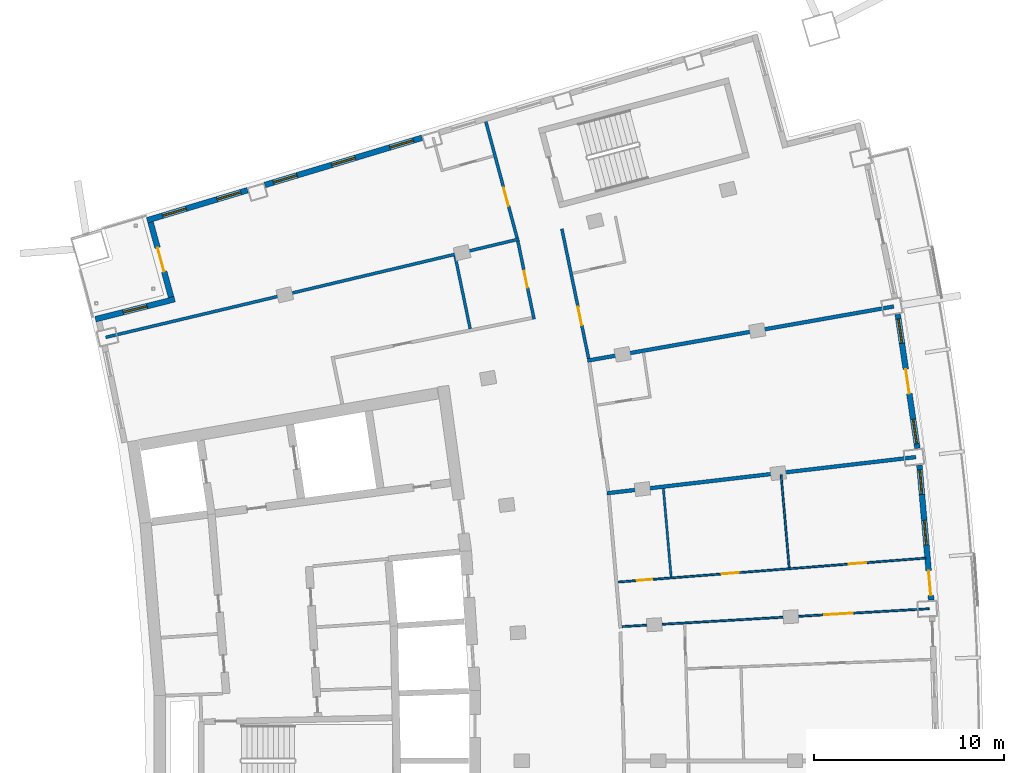
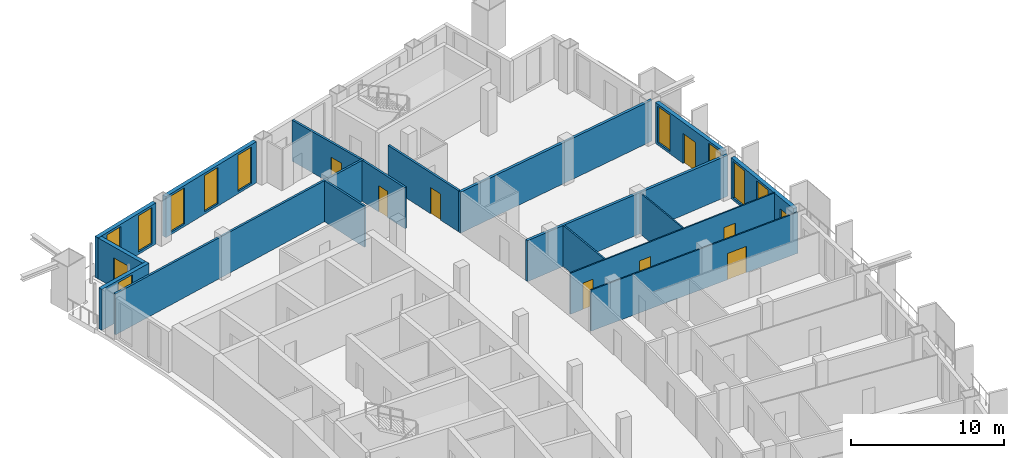
# One storey, part 14 of 19: 17 walls, 10 doors, 10 windows, 20 openings.
"""IFC4 building model written with IfcOpenShell, lengths in metres."""

from ifc_helpers import new_model, si_unit, direction, frame, frame_2d, origin, place, context, subcontext, project, spatial, rectangle, extrude, material, layer, layer_set, type_object, element, fill, save


model = new_model("IFC4")

# Units and contexts
model_context = context("Model", 3, precision=1e-05, world=origin(), true_north=direction((0.0, 1.0)))
body_context = subcontext(model_context, "Body", "Model", "MODEL_VIEW")
ifc_project = project(units=[si_unit("LENGTHUNIT", "METRE"), si_unit("AREAUNIT", "SQUARE_METRE"), si_unit("VOLUMEUNIT", "CUBIC_METRE"), si_unit("PLANEANGLEUNIT", "RADIAN"), si_unit("MASSUNIT", "GRAM", prefix="KILO")], contexts=[model_context])

# Site, building, storey
site_placement = place(None, origin())
site = spatial("IfcSite", under=ifc_project, at=site_placement, CompositionType="ELEMENT")
building_placement = place(site_placement, origin())
building = spatial("IfcBuilding", under=site, at=building_placement, Name="Alderwake Tower", CompositionType="ELEMENT")
storey_placement = place(building_placement, frame((0.0, 0.0, 228.800048828125)))
storey = spatial("IfcBuildingStorey", under=building, at=storey_placement, Name="L57", CompositionType="ELEMENT", Elevation=228.800048828125)

# Wall
ifc_material_1 = material(Name="Gypsum board on metal studs, rated")
ifc_layer_1 = layer(ifc_material_1, 0.159912109375)
ifc_layer_set_1 = layer_set([ifc_layer_1], Name="Corridor wall 160")
wall_type_1 = type_object("IfcWallType", Name="Corridor wall 160", PredefinedType="PARTITIONING", material=ifc_layer_set_1)
wall_1_placement = place(storey_placement, frame((13.884033203125, 83.31298828125, 0.0), z_axis=(0.0, 0.0, 1.0), x_axis=(0.972893462073, 0.231253781493, 0.0)))
element("IfcWall", 1, at=wall_1_placement, inside=storey, type_object=wall_type_1, Name="WL/L57/W11", PredefinedType="PARTITIONING", context=body_context, shape_type="SweptSolid", body=[
    extrude(rectangle(XDim=22.38037109375, YDim=0.159912109375, at=frame_2d((11.190185546875, 0.0))), origin(), (0.0, 0.0, 1.0), 3.280029296875),
])

# Wall, opening, door
wall_2_placement = place(storey_placement, frame((35.55908203125, 88.54736328125, 0.0), z_axis=(0.0, 0.0, 1.0), x_axis=(-0.259486497004, 0.965746735885, 0.0)))
wall_2 = element("IfcWall", 2, at=wall_2_placement, inside=storey, type_object=wall_type_1, Name="WL/L57/W17", PredefinedType="PARTITIONING", context=body_context, shape_type="SweptSolid", body=[
    extrude(rectangle(XDim=6.346923828125, YDim=0.159912109375, at=frame_2d((3.17333984375, 0.0))), origin(), (0.0, 0.0, 1.0), 3.280029296875),
])
opening_1_placement = place(wall_2_placement, frame((1.74609375, 0.0, 0.0)))
opening_1 = element("IfcOpeningElement", 3, at=opening_1_placement, cuts=wall_2, Name="Opening R16-U10.1", PredefinedType="OPENING", context=body_context, shape_type="SweptSolid", body=[
    extrude(rectangle(XDim=1.0, YDim=2.10009765625, at=frame_2d((0.5, 1.050048828125))), frame((0.0, 0.08984375, 0.0), z_axis=(0.0, -1.0, 0.0), x_axis=(1.0, 0.0, 0.0)), (0.0, 0.0, 1.0), 0.179931640625),
])
ifc_material_2 = material(Name="Solid timber leaf in steel frame", Category="steel")
door_type_1 = type_object("IfcDoorType", Name="Flat entrance door 1000 fire-rated", OperationType="SINGLE_SWING_LEFT", PredefinedType="DOOR", material=ifc_material_2)
door_1_placement = place(opening_1_placement, origin())
door_1 = element("IfcDoor", 4, at=door_1_placement, inside=storey, type_object=door_type_1, Name="DR/L57/U10.1", OperationType="SINGLE_SWING_LEFT", OverallHeight=2.10009765625, OverallWidth=1.0, PredefinedType="DOOR", context=body_context, shape_type="SweptSolid", body=[
    extrude(rectangle(XDim=1.0, YDim=2.10009765625, at=frame_2d((0.5, 1.050048828125))), frame((0.0, 0.02490234375, 0.0), z_axis=(0.0, -1.0, 0.0), x_axis=(1.0, 0.0, 0.0)), (0.0, 0.0, 1.0), 0.050048828125),
])
fill(opening_1, door_1)

wall_3_placement = place(storey_placement, frame((36.451416015625, 84.272705078125, 0.0), z_axis=(0.0, 0.0, 1.0), x_axis=(-0.20329833965, 0.979116839348, 0.0)))
wall_3 = element("IfcWall", 5, at=wall_3_placement, inside=storey, type_object=wall_type_1, Name="WL/L57/W19", PredefinedType="PARTITIONING", context=body_context, shape_type="SweptSolid", body=[
    extrude(rectangle(XDim=4.206787109375, YDim=0.159912109375, at=frame_2d((2.103515625, 0.0))), origin(), (0.0, 0.0, 1.0), 3.280029296875),
])
opening_2_placement = place(wall_3_placement, frame((1.69287109375, 0.0, 0.0)))
opening_2 = element("IfcOpeningElement", 6, at=opening_2_placement, cuts=wall_3, Name="Opening R16-SBN2", PredefinedType="OPENING", context=body_context, shape_type="SweptSolid", body=[
    extrude(rectangle(XDim=0.89990234375, YDim=2.10009765625, at=frame_2d((0.449951171875, 1.050048828125))), frame((0.0, 0.08984375, 0.0), z_axis=(0.0, -1.0, 0.0), x_axis=(1.0, 0.0, 0.0)), (0.0, 0.0, 1.0), 0.179931640625),
])
ifc_material_3 = material(Name="Painted timber leaf", Category="wood")
door_type_2 = type_object("IfcDoorType", Name="Room door 900", OperationType="SINGLE_SWING_LEFT", PredefinedType="DOOR", material=ifc_material_3)
door_2_placement = place(opening_2_placement, origin())
door_2 = element("IfcDoor", 7, at=door_2_placement, inside=storey, type_object=door_type_2, Name="DR/L57/SBN2", OperationType="SINGLE_SWING_LEFT", OverallHeight=2.10009765625, OverallWidth=0.89990234375, PredefinedType="DOOR", context=body_context, shape_type="SweptSolid", body=[
    extrude(rectangle(XDim=0.89990234375, YDim=2.10009765625, at=frame_2d((0.449951171875, 1.050048828125))), frame((0.0, 0.02490234375, 0.0), z_axis=(0.0, -1.0, 0.0), x_axis=(1.0, 0.0, 0.0)), (0.0, 0.0, 1.0), 0.050048828125),
])
fill(opening_2, door_2)

wall_4_placement = place(storey_placement, frame((37.9169921875, 89.02490234375, 0.0), z_axis=(0.0, 0.0, 1.0), x_axis=(0.202416809878, -0.97929946139, 0.0)))
wall_4 = element("IfcWall", 8, at=wall_4_placement, inside=storey, type_object=wall_type_1, Name="WL/L57/W24", PredefinedType="PARTITIONING", context=body_context, shape_type="SweptSolid", body=[
    extrude(rectangle(XDim=6.97021484375, YDim=0.159912109375, at=frame_2d((3.485107421875, 0.0))), origin(), (0.0, 0.0, 1.0), 3.280029296875),
])
opening_3_placement = place(wall_4_placement, frame((4.187255859375, 0.0, 0.0)))
opening_3 = element("IfcOpeningElement", 9, at=opening_3_placement, cuts=wall_4, Name="Opening R16-U08.1", PredefinedType="OPENING", context=body_context, shape_type="SweptSolid", body=[
    extrude(rectangle(XDim=1.0, YDim=2.10009765625, at=frame_2d((0.5, 1.050048828125))), frame((0.0, 0.08984375, 0.0), z_axis=(0.0, -1.0, 0.0), x_axis=(1.0, 0.0, 0.0)), (0.0, 0.0, 1.0), 0.179931640625),
])
door_3_placement = place(opening_3_placement, origin())
door_3 = element("IfcDoor", 10, at=door_3_placement, inside=storey, type_object=door_type_1, Name="DR/L57/U08.1", OperationType="SINGLE_SWING_LEFT", OverallHeight=2.10009765625, OverallWidth=1.0, PredefinedType="DOOR", context=body_context, shape_type="SweptSolid", body=[
    extrude(rectangle(XDim=1.0, YDim=2.10009765625, at=frame_2d((0.5, 1.050048828125))), frame((0.0, 0.02490234375, 0.0), z_axis=(0.0, -1.0, 0.0), x_axis=(1.0, 0.0, 0.0)), (0.0, 0.0, 1.0), 0.050048828125),
])
fill(opening_3, door_3)

# Wall, openings, door, windows
ifc_material_4 = material(Name="Precast concrete C50/60 spandrel panel", Category="concrete")
ifc_layer_2 = layer(ifc_material_4, 0.300048828125)
ifc_layer_set_2 = layer_set([ifc_layer_2], Name="External wall EW1 Precast concrete C50/60 spandrel")
wall_type_2 = type_object("IfcWallType", Name="External wall EW1 Precast concrete C50/60 spandrel", PredefinedType="SOLIDWALL", material=ifc_layer_set_2)
wall_5_placement = place(storey_placement, frame((57.376708984375, 69.470703125, 0.0), z_axis=(0.0, 0.0, 1.0), x_axis=(-0.087372427007, 0.996175716929, 0.0)))
wall_5 = element("IfcWall", 11, at=wall_5_placement, inside=storey, type_object=wall_type_2, Name="External wall 17", PredefinedType="SOLIDWALL", context=body_context, shape_type="SweptSolid", body=[
    extrude(rectangle(XDim=7.1337890625, YDim=0.300048828125, at=frame_2d((3.56689453125, 0.0))), origin(), (0.0, 0.0, 1.0), 3.280029296875),
])
opening_4_placement = place(wall_5_placement, frame((0.24560546875, 0.0, 0.0)))
opening_4 = element("IfcOpeningElement", 12, at=opening_4_placement, cuts=wall_5, Name="Opening D06", PredefinedType="OPENING", context=body_context, shape_type="SweptSolid", body=[
    extrude(rectangle(XDim=1.300048828125, YDim=2.39990234375, at=frame_2d((0.64990234375, 1.199951171875))), frame((0.0, 0.159912109375, 0.0), z_axis=(0.0, -1.0, 0.0), x_axis=(1.0, 0.0, 0.0)), (0.0, 0.0, 1.0), 0.320068359375),
])
opening_5_placement = place(wall_5_placement, frame((2.916748046875, 0.0, 0.199951171875)))
opening_5 = element("IfcOpeningElement", 13, at=opening_5_placement, cuts=wall_5, Name="Opening W1", PredefinedType="OPENING", context=body_context, shape_type="SweptSolid", body=[
    extrude(rectangle(XDim=1.300048828125, YDim=2.89990234375, at=frame_2d((0.64990234375, 1.449951171875))), frame((0.0, 0.159912109375, 0.0), z_axis=(0.0, -1.0, 0.0), x_axis=(1.0, 0.0, 0.0)), (0.0, 0.0, 1.0), 0.320068359375),
])
opening_6_placement = place(wall_5_placement, frame((5.588134765625, 0.0, 0.199951171875)))
opening_6 = element("IfcOpeningElement", 14, at=opening_6_placement, cuts=wall_5, Name="Opening W1", PredefinedType="OPENING", context=body_context, shape_type="SweptSolid", body=[
    extrude(rectangle(XDim=1.300048828125, YDim=2.89990234375, at=frame_2d((0.64990234375, 1.449951171875))), frame((0.0, 0.159912109375, 0.0), z_axis=(0.0, -1.0, 0.0), x_axis=(1.0, 0.0, 0.0)), (0.0, 0.0, 1.0), 0.320068359375),
])
ifc_material_5 = material(Name="Bronze tinted glass in aluminium frame", Category="aluminium")
door_type_3 = type_object("IfcDoorType", Name="Balcony door BD sliding", OperationType="SLIDING_TO_LEFT", PredefinedType="DOOR", material=ifc_material_5)
door_4_placement = place(opening_4_placement, origin())
door_4 = element("IfcDoor", 15, at=door_4_placement, inside=storey, type_object=door_type_3, Name="Door D06", OperationType="SLIDING_TO_LEFT", OverallHeight=2.39990234375, OverallWidth=1.300048828125, PredefinedType="DOOR", context=body_context, shape_type="SweptSolid", body=[
    extrude(rectangle(XDim=1.300048828125, YDim=2.39990234375, at=frame_2d((0.64990234375, 1.199951171875))), frame((0.0, 0.02490234375, 0.0), z_axis=(0.0, -1.0, 0.0), x_axis=(1.0, 0.0, 0.0)), (0.0, 0.0, 1.0), 0.050048828125),
])
fill(opening_4, door_4)
ifc_material_6 = material(Name="Bronze tinted glass in aluminium frame", Category="aluminium")
window_type = type_object("IfcWindowType", Name="Window W1 tall fixed and vent", PartitioningType="DOUBLE_PANEL_VERTICAL", PredefinedType="WINDOW", material=ifc_material_6)
window_1_placement = place(opening_5_placement, origin())
window_1 = element("IfcWindow", 16, at=window_1_placement, inside=storey, type_object=window_type, Name="Window W1 tall fixed and vent", OverallHeight=2.89990234375, OverallWidth=1.300048828125, PartitioningType="DOUBLE_PANEL_VERTICAL", PredefinedType="WINDOW", context=body_context, shape_type="SweptSolid", body=[
    extrude(rectangle(XDim=1.300048828125, YDim=2.89990234375, at=frame_2d((0.64990234375, 1.449951171875))), frame((0.0, 0.030029296875, 0.0), z_axis=(0.0, -1.0, 0.0), x_axis=(1.0, 0.0, 0.0)), (0.0, 0.0, 1.0), 0.06005859375),
])
fill(opening_5, window_1)
window_2_placement = place(opening_6_placement, origin())
window_2 = element("IfcWindow", 17, at=window_2_placement, inside=storey, type_object=window_type, Name="Window W1 tall fixed and vent", OverallHeight=2.89990234375, OverallWidth=1.300048828125, PartitioningType="DOUBLE_PANEL_VERTICAL", PredefinedType="WINDOW", context=body_context, shape_type="SweptSolid", body=[
    extrude(rectangle(XDim=1.300048828125, YDim=2.89990234375, at=frame_2d((0.64990234375, 1.449951171875))), frame((0.0, 0.030029296875, 0.0), z_axis=(0.0, -1.0, 0.0), x_axis=(1.0, 0.0, 0.0)), (0.0, 0.0, 1.0), 0.06005859375),
])
fill(opening_6, window_2)

wall_6_placement = place(storey_placement, frame((56.649169921875, 77.465576171875, 0.0), z_axis=(0.0, 0.0, 1.0), x_axis=(-0.14531565173, 0.989385345233, 0.0)))
wall_6 = element("IfcWall", 18, at=wall_6_placement, inside=storey, type_object=wall_type_2, Name="External wall 18", PredefinedType="SOLIDWALL", context=body_context, shape_type="SweptSolid", body=[
    extrude(rectangle(XDim=7.133544921875, YDim=0.300048828125, at=frame_2d((3.56689453125, 0.0))), origin(), (0.0, 0.0, 1.0), 3.280029296875),
])
opening_7_placement = place(wall_6_placement, frame((0.24560546875, 0.0, 0.199951171875)))
opening_7 = element("IfcOpeningElement", 19, at=opening_7_placement, cuts=wall_6, Name="Opening W1", PredefinedType="OPENING", context=body_context, shape_type="SweptSolid", body=[
    extrude(rectangle(XDim=1.300048828125, YDim=2.89990234375, at=frame_2d((0.64990234375, 1.449951171875))), frame((0.0, 0.159912109375, 0.0), z_axis=(0.0, -1.0, 0.0), x_axis=(1.0, 0.0, 0.0)), (0.0, 0.0, 1.0), 0.320068359375),
])
opening_8_placement = place(wall_6_placement, frame((2.916748046875, 0.0, 0.0)))
opening_8 = element("IfcOpeningElement", 20, at=opening_8_placement, cuts=wall_6, Name="Opening D07", PredefinedType="OPENING", context=body_context, shape_type="SweptSolid", body=[
    extrude(rectangle(XDim=1.300048828125, YDim=2.39990234375, at=frame_2d((0.64990234375, 1.199951171875))), frame((0.0, 0.159912109375, 0.0), z_axis=(0.0, -1.0, 0.0), x_axis=(1.0, 0.0, 0.0)), (0.0, 0.0, 1.0), 0.320068359375),
])
opening_9_placement = place(wall_6_placement, frame((5.588134765625, 0.0, 0.199951171875)))
opening_9 = element("IfcOpeningElement", 21, at=opening_9_placement, cuts=wall_6, Name="Opening W1", PredefinedType="OPENING", context=body_context, shape_type="SweptSolid", body=[
    extrude(rectangle(XDim=1.300048828125, YDim=2.89990234375, at=frame_2d((0.64990234375, 1.449951171875))), frame((0.0, 0.159912109375, 0.0), z_axis=(0.0, -1.0, 0.0), x_axis=(1.0, 0.0, 0.0)), (0.0, 0.0, 1.0), 0.320068359375),
])
door_5_placement = place(opening_8_placement, origin())
door_5 = element("IfcDoor", 22, at=door_5_placement, inside=storey, type_object=door_type_3, Name="Door D07", OperationType="SLIDING_TO_LEFT", OverallHeight=2.39990234375, OverallWidth=1.300048828125, PredefinedType="DOOR", context=body_context, shape_type="SweptSolid", body=[
    extrude(rectangle(XDim=1.300048828125, YDim=2.39990234375, at=frame_2d((0.64990234375, 1.199951171875))), frame((0.0, 0.02490234375, 0.0), z_axis=(0.0, -1.0, 0.0), x_axis=(1.0, 0.0, 0.0)), (0.0, 0.0, 1.0), 0.050048828125),
])
fill(opening_8, door_5)
window_3_placement = place(opening_7_placement, origin())
window_3 = element("IfcWindow", 23, at=window_3_placement, inside=storey, type_object=window_type, Name="Window W1 tall fixed and vent", OverallHeight=2.89990234375, OverallWidth=1.300048828125, PartitioningType="DOUBLE_PANEL_VERTICAL", PredefinedType="WINDOW", context=body_context, shape_type="SweptSolid", body=[
    extrude(rectangle(XDim=1.300048828125, YDim=2.89990234375, at=frame_2d((0.64990234375, 1.449951171875))), frame((0.0, 0.030029296875, 0.0), z_axis=(0.0, -1.0, 0.0), x_axis=(1.0, 0.0, 0.0)), (0.0, 0.0, 1.0), 0.06005859375),
])
fill(opening_7, window_3)
window_4_placement = place(opening_9_placement, origin())
window_4 = element("IfcWindow", 24, at=window_4_placement, inside=storey, type_object=window_type, Name="Window W1 tall fixed and vent", OverallHeight=2.89990234375, OverallWidth=1.300048828125, PartitioningType="DOUBLE_PANEL_VERTICAL", PredefinedType="WINDOW", context=body_context, shape_type="SweptSolid", body=[
    extrude(rectangle(XDim=1.300048828125, YDim=2.89990234375, at=frame_2d((0.64990234375, 1.449951171875))), frame((0.0, 0.030029296875, 0.0), z_axis=(0.0, -1.0, 0.0), x_axis=(1.0, 0.0, 0.0)), (0.0, 0.0, 1.0), 0.06005859375),
])
fill(opening_9, window_4)

# Wall, openings, windows
ifc_material_7 = material(Name="Bronze metal cladding on lightweight framing")
ifc_layer_3 = layer(ifc_material_7, 0.300048828125)
ifc_layer_set_3 = layer_set([ifc_layer_3], Name="External wall EW2 bronze metal cladding")
wall_type_3 = type_object("IfcWallType", Name="External wall EW2 bronze metal cladding", PredefinedType="SOLIDWALL", material=ifc_layer_set_3)
wall_7_placement = place(storey_placement, frame((30.551513671875, 93.8251953125, 0.0), z_axis=(0.0, 0.0, 1.0), x_axis=(-0.957767198916, -0.287544766394, 0.0)))
wall_7 = element("IfcWall", 25, at=wall_7_placement, inside=storey, type_object=wall_type_3, Name="External wall 26", PredefinedType="SOLIDWALL", context=body_context, shape_type="SweptSolid", body=[
    extrude(rectangle(XDim=8.64599609375, YDim=0.300048828125, at=frame_2d((4.322998046875, 0.0))), origin(), (0.0, 0.0, 1.0), 3.280029296875),
])
opening_10_placement = place(wall_7_placement, frame((0.47314453125, 0.0, 0.199951171875)))
opening_10 = element("IfcOpeningElement", 26, at=opening_10_placement, cuts=wall_7, Name="Opening W1", PredefinedType="OPENING", context=body_context, shape_type="SweptSolid", body=[
    extrude(rectangle(XDim=1.300048828125, YDim=2.89990234375, at=frame_2d((0.64990234375, 1.449951171875))), frame((0.0, 0.159912109375, 0.0), z_axis=(0.0, -1.0, 0.0), x_axis=(1.0, 0.0, 0.0)), (0.0, 0.0, 1.0), 0.320068359375),
])
opening_11_placement = place(wall_7_placement, frame((3.673095703125, 0.0, 0.199951171875)))
opening_11 = element("IfcOpeningElement", 27, at=opening_11_placement, cuts=wall_7, Name="Opening W1", PredefinedType="OPENING", context=body_context, shape_type="SweptSolid", body=[
    extrude(rectangle(XDim=1.300048828125, YDim=2.89990234375, at=frame_2d((0.64990234375, 1.449951171875))), frame((0.0, 0.159912109375, 0.0), z_axis=(0.0, -1.0, 0.0), x_axis=(1.0, 0.0, 0.0)), (0.0, 0.0, 1.0), 0.320068359375),
])
opening_12_placement = place(wall_7_placement, frame((6.873291015625, 0.0, 0.199951171875)))
opening_12 = element("IfcOpeningElement", 28, at=opening_12_placement, cuts=wall_7, Name="Opening W1", PredefinedType="OPENING", context=body_context, shape_type="SweptSolid", body=[
    extrude(rectangle(XDim=1.300048828125, YDim=2.89990234375, at=frame_2d((0.64990234375, 1.449951171875))), frame((0.0, 0.159912109375, 0.0), z_axis=(0.0, -1.0, 0.0), x_axis=(1.0, 0.0, 0.0)), (0.0, 0.0, 1.0), 0.320068359375),
])
window_5_placement = place(opening_10_placement, origin())
window_5 = element("IfcWindow", 29, at=window_5_placement, inside=storey, type_object=window_type, Name="Window W1 tall fixed and vent", OverallHeight=2.89990234375, OverallWidth=1.300048828125, PartitioningType="DOUBLE_PANEL_VERTICAL", PredefinedType="WINDOW", context=body_context, shape_type="SweptSolid", body=[
    extrude(rectangle(XDim=1.300048828125, YDim=2.89990234375, at=frame_2d((0.64990234375, 1.449951171875))), frame((0.0, 0.030029296875, 0.0), z_axis=(0.0, -1.0, 0.0), x_axis=(1.0, 0.0, 0.0)), (0.0, 0.0, 1.0), 0.06005859375),
])
fill(opening_10, window_5)
window_6_placement = place(opening_11_placement, origin())
window_6 = element("IfcWindow", 30, at=window_6_placement, inside=storey, type_object=window_type, Name="Window W1 tall fixed and vent", OverallHeight=2.89990234375, OverallWidth=1.300048828125, PartitioningType="DOUBLE_PANEL_VERTICAL", PredefinedType="WINDOW", context=body_context, shape_type="SweptSolid", body=[
    extrude(rectangle(XDim=1.300048828125, YDim=2.89990234375, at=frame_2d((0.64990234375, 1.449951171875))), frame((0.0, 0.030029296875, 0.0), z_axis=(0.0, -1.0, 0.0), x_axis=(1.0, 0.0, 0.0)), (0.0, 0.0, 1.0), 0.06005859375),
])
fill(opening_11, window_6)
window_7_placement = place(opening_12_placement, origin())
window_7 = element("IfcWindow", 31, at=window_7_placement, inside=storey, type_object=window_type, Name="Window W1 tall fixed and vent", OverallHeight=2.89990234375, OverallWidth=1.300048828125, PartitioningType="DOUBLE_PANEL_VERTICAL", PredefinedType="WINDOW", context=body_context, shape_type="SweptSolid", body=[
    extrude(rectangle(XDim=1.300048828125, YDim=2.89990234375, at=frame_2d((0.64990234375, 1.449951171875))), frame((0.0, 0.030029296875, 0.0), z_axis=(0.0, -1.0, 0.0), x_axis=(1.0, 0.0, 0.0)), (0.0, 0.0, 1.0), 0.06005859375),
])
fill(opening_12, window_7)

wall_8_placement = place(storey_placement, frame((21.356689453125, 91.064697265625, 0.0), z_axis=(0.0, 0.0, 1.0), x_axis=(-0.957772749247, -0.287526278451, 0.0)))
wall_8 = element("IfcWall", 32, at=wall_8_placement, inside=storey, type_object=wall_type_3, Name="External wall 27", PredefinedType="SOLIDWALL", context=body_context, shape_type="SweptSolid", body=[
    extrude(rectangle(XDim=5.524169921875, YDim=0.300048828125, at=frame_2d((2.76220703125, 0.0))), origin(), (0.0, 0.0, 1.0), 3.280029296875),
])
opening_13_placement = place(wall_8_placement, frame((0.373291015625, 0.0, 0.199951171875)))
opening_13 = element("IfcOpeningElement", 33, at=opening_13_placement, cuts=wall_8, Name="Opening W1", PredefinedType="OPENING", context=body_context, shape_type="SweptSolid", body=[
    extrude(rectangle(XDim=1.300048828125, YDim=2.89990234375, at=frame_2d((0.64990234375, 1.449951171875))), frame((0.0, 0.159912109375, 0.0), z_axis=(0.0, -1.0, 0.0), x_axis=(1.0, 0.0, 0.0)), (0.0, 0.0, 1.0), 0.320068359375),
])
opening_14_placement = place(wall_8_placement, frame((3.3740234375, 0.0, 0.199951171875)))
opening_14 = element("IfcOpeningElement", 34, at=opening_14_placement, cuts=wall_8, Name="Opening W1", PredefinedType="OPENING", context=body_context, shape_type="SweptSolid", body=[
    extrude(rectangle(XDim=1.300048828125, YDim=2.89990234375, at=frame_2d((0.64990234375, 1.449951171875))), frame((0.0, 0.159912109375, 0.0), z_axis=(0.0, -1.0, 0.0), x_axis=(1.0, 0.0, 0.0)), (0.0, 0.0, 1.0), 0.320068359375),
])
window_8_placement = place(opening_13_placement, origin())
window_8 = element("IfcWindow", 35, at=window_8_placement, inside=storey, type_object=window_type, Name="Window W1 tall fixed and vent", OverallHeight=2.89990234375, OverallWidth=1.300048828125, PartitioningType="DOUBLE_PANEL_VERTICAL", PredefinedType="WINDOW", context=body_context, shape_type="SweptSolid", body=[
    extrude(rectangle(XDim=1.300048828125, YDim=2.89990234375, at=frame_2d((0.64990234375, 1.449951171875))), frame((0.0, 0.030029296875, 0.0), z_axis=(0.0, -1.0, 0.0), x_axis=(1.0, 0.0, 0.0)), (0.0, 0.0, 1.0), 0.06005859375),
])
fill(opening_13, window_8)
window_9_placement = place(opening_14_placement, origin())
window_9 = element("IfcWindow", 36, at=window_9_placement, inside=storey, type_object=window_type, Name="Window W1 tall fixed and vent", OverallHeight=2.89990234375, OverallWidth=1.300048828125, PartitioningType="DOUBLE_PANEL_VERTICAL", PredefinedType="WINDOW", context=body_context, shape_type="SweptSolid", body=[
    extrude(rectangle(XDim=1.300048828125, YDim=2.89990234375, at=frame_2d((0.64990234375, 1.449951171875))), frame((0.0, 0.030029296875, 0.0), z_axis=(0.0, -1.0, 0.0), x_axis=(1.0, 0.0, 0.0)), (0.0, 0.0, 1.0), 0.06005859375),
])
fill(opening_14, window_9)

# Wall, opening, door
wall_9_placement = place(storey_placement, frame((16.248779296875, 89.374755859375, 0.0), z_axis=(0.0, 0.0, 1.0), x_axis=(0.264607053468, -0.964356317579, 0.0)))
wall_9 = element("IfcWall", 37, at=wall_9_placement, inside=storey, type_object=wall_type_3, Name="External wall 28", PredefinedType="SOLIDWALL", context=body_context, shape_type="SweptSolid", body=[
    extrude(rectangle(XDim=4.090087890625, YDim=0.300048828125, at=frame_2d((2.044921875, 0.0))), origin(), (0.0, 0.0, 1.0), 3.280029296875),
])
opening_15_placement = place(wall_9_placement, frame((1.39501953125, 0.0, 0.0)))
opening_15 = element("IfcOpeningElement", 38, at=opening_15_placement, cuts=wall_9, Name="Opening D09", PredefinedType="OPENING", context=body_context, shape_type="SweptSolid", body=[
    extrude(rectangle(XDim=1.300048828125, YDim=2.39990234375, at=frame_2d((0.64990234375, 1.199951171875))), frame((0.0, 0.159912109375, 0.0), z_axis=(0.0, -1.0, 0.0), x_axis=(1.0, 0.0, 0.0)), (0.0, 0.0, 1.0), 0.320068359375),
])
door_6_placement = place(opening_15_placement, origin())
door_6 = element("IfcDoor", 39, at=door_6_placement, inside=storey, type_object=door_type_3, Name="Door D09", OperationType="SLIDING_TO_LEFT", OverallHeight=2.39990234375, OverallWidth=1.300048828125, PredefinedType="DOOR", context=body_context, shape_type="SweptSolid", body=[
    extrude(rectangle(XDim=1.300048828125, YDim=2.39990234375, at=frame_2d((0.64990234375, 1.199951171875))), frame((0.0, 0.02490234375, 0.0), z_axis=(0.0, -1.0, 0.0), x_axis=(1.0, 0.0, 0.0)), (0.0, 0.0, 1.0), 0.050048828125),
])
fill(opening_15, door_6)

# Wall, opening, window
wall_10_placement = place(storey_placement, frame((17.51611328125, 85.32275390625, 0.0), z_axis=(0.0, 0.0, 1.0), x_axis=(-0.969417740682, -0.245416470617, 0.0)))
wall_10 = element("IfcWall", 40, at=wall_10_placement, inside=storey, type_object=wall_type_3, Name="External wall 29", PredefinedType="SOLIDWALL", context=body_context, shape_type="SweptSolid", body=[
    extrude(rectangle(XDim=4.305419921875, YDim=0.300048828125, at=frame_2d((2.15283203125, 0.0))), origin(), (0.0, 0.0, 1.0), 3.280029296875),
])
opening_16_placement = place(wall_10_placement, frame((1.502685546875, 0.0, 0.199951171875)))
opening_16 = element("IfcOpeningElement", 41, at=opening_16_placement, cuts=wall_10, Name="Opening W1", PredefinedType="OPENING", context=body_context, shape_type="SweptSolid", body=[
    extrude(rectangle(XDim=1.300048828125, YDim=2.89990234375, at=frame_2d((0.64990234375, 1.449951171875))), frame((0.0, 0.159912109375, 0.0), z_axis=(0.0, -1.0, 0.0), x_axis=(1.0, 0.0, 0.0)), (0.0, 0.0, 1.0), 0.320068359375),
])
window_10_placement = place(opening_16_placement, origin())
window_10 = element("IfcWindow", 42, at=window_10_placement, inside=storey, type_object=window_type, Name="Window W1 tall fixed and vent", OverallHeight=2.89990234375, OverallWidth=1.300048828125, PartitioningType="DOUBLE_PANEL_VERTICAL", PredefinedType="WINDOW", context=body_context, shape_type="SweptSolid", body=[
    extrude(rectangle(XDim=1.300048828125, YDim=2.89990234375, at=frame_2d((0.64990234375, 1.449951171875))), frame((0.0, 0.030029296875, 0.0), z_axis=(0.0, -1.0, 0.0), x_axis=(1.0, 0.0, 0.0)), (0.0, 0.0, 1.0), 0.06005859375),
])
fill(opening_16, window_10)

# Walls
ifc_material_8 = material(Name="Dense block masonry wall", Category="masonry")
ifc_layer_4 = layer(ifc_material_8, 0.199951171875)
ifc_layer_set_4 = layer_set([ifc_layer_4], Name="Party wall 200")
wall_type_4 = type_object("IfcWallType", Name="Party wall 200", PredefinedType="SOLIDWALL", material=ifc_layer_set_4)
wall_11_placement = place(storey_placement, frame((40.297607421875, 75.0986328125, 0.0), z_axis=(0.0, 0.0, 1.0), x_axis=(0.993210909996, 0.116327504339, 0.0)))
element("IfcWall", 43, at=wall_11_placement, inside=storey, type_object=wall_type_4, Name="WL/L57/W01", PredefinedType="SOLIDWALL", context=body_context, shape_type="SweptSolid", body=[
    extrude(rectangle(XDim=16.37841796875, YDim=0.199951171875, at=frame_2d((8.189208984375, 0.0))), origin(), (0.0, 0.0, 1.0), 3.280029296875),
])
wall_12_placement = place(storey_placement, frame((55.40087890625, 84.93896484375, 0.0), z_axis=(0.0, 0.0, 1.0), x_axis=(-0.984730701912, -0.174084590678, 0.0)))
element("IfcWall", 44, at=wall_12_placement, inside=storey, type_object=wall_type_4, Name="WL/L57/W02", PredefinedType="SOLIDWALL", context=body_context, shape_type="SweptSolid", body=[
    extrude(rectangle(XDim=16.3818359375, YDim=0.199951171875, at=frame_2d((8.19091796875, 0.0))), origin(), (0.0, 0.0, 1.0), 3.280029296875),
])
ifc_material_9 = material(Name="Gypsum shaft wall system, rated")
ifc_layer_5 = layer(ifc_material_9, 0.14990234375)
ifc_layer_set_5 = layer_set([ifc_layer_5], Name="Riser and shaft wall 150")
wall_type_5 = type_object("IfcWallType", Name="Riser and shaft wall 150", PredefinedType="PARTITIONING", material=ifc_layer_set_5)
wall_13_placement = place(storey_placement, frame((33.085693359375, 83.76025390625, 0.0), z_axis=(0.0, 0.0, 1.0), x_axis=(-0.2025562632, 0.97927062666, 0.0)))
element("IfcWall", 45, at=wall_13_placement, inside=storey, type_object=wall_type_5, Name="WL/L57/W07", PredefinedType="PARTITIONING", context=body_context, shape_type="SweptSolid", body=[
    extrude(rectangle(XDim=3.9267578125, YDim=0.14990234375, at=frame_2d((1.96337890625, 0.0))), origin(), (0.0, 0.0, 1.0), 3.280029296875),
])

# Wall, openings, doors
ifc_material_10 = material(Name="Gypsum board on metal studs")
ifc_layer_6 = layer(ifc_material_10, 0.10009765625)
ifc_layer_set_6 = layer_set([ifc_layer_6], Name="Unit partition 100")
wall_type_6 = type_object("IfcWallType", Name="Unit partition 100", PredefinedType="PARTITIONING", material=ifc_layer_set_6)
wall_14_placement = place(storey_placement, frame((40.867919921875, 70.419189453125, 0.0), z_axis=(0.0, 0.0, 1.0), x_axis=(0.996981000907, 0.077645887405, 0.0)))
wall_14 = element("IfcWall", 46, at=wall_14_placement, inside=storey, type_object=wall_type_6, Name="WL/L57/W48", PredefinedType="PARTITIONING", context=body_context, shape_type="SweptSolid", body=[
    extrude(rectangle(XDim=16.26220703125, YDim=0.10009765625, at=frame_2d((8.131103515625, 0.0))), origin(), (0.0, 0.0, 1.0), 3.280029296875),
])
opening_17_placement = place(wall_14_placement, frame((5.4892578125, 0.0, 0.0)))
opening_17 = element("IfcOpeningElement", 47, at=opening_17_placement, cuts=wall_14, Name="Opening R16-U06.5", PredefinedType="OPENING", context=body_context, shape_type="SweptSolid", body=[
    extrude(rectangle(XDim=0.89990234375, YDim=2.10009765625, at=frame_2d((0.449951171875, 1.050048828125))), frame((0.0, 0.06005859375, 0.0), z_axis=(0.0, -1.0, 0.0), x_axis=(1.0, 0.0, 0.0)), (0.0, 0.0, 1.0), 0.1201171875),
])
opening_18_placement = place(wall_14_placement, frame((1.009521484375, 0.0, 0.0)))
opening_18 = element("IfcOpeningElement", 48, at=opening_18_placement, cuts=wall_14, Name="Opening R16-U06.6", PredefinedType="OPENING", context=body_context, shape_type="SweptSolid", body=[
    extrude(rectangle(XDim=0.800048828125, YDim=2.10009765625, at=frame_2d((0.39990234375, 1.050048828125))), frame((0.0, 0.06005859375, 0.0), z_axis=(0.0, -1.0, 0.0), x_axis=(1.0, 0.0, 0.0)), (0.0, 0.0, 1.0), 0.1201171875),
])
opening_19_placement = place(wall_14_placement, frame((12.211181640625, 0.0, 0.0)))
opening_19 = element("IfcOpeningElement", 49, at=opening_19_placement, cuts=wall_14, Name="Opening R16-U06.7", PredefinedType="OPENING", context=body_context, shape_type="SweptSolid", body=[
    extrude(rectangle(XDim=0.89990234375, YDim=2.10009765625, at=frame_2d((0.449951171875, 1.050048828125))), frame((0.0, 0.06005859375, 0.0), z_axis=(0.0, -1.0, 0.0), x_axis=(1.0, 0.0, 0.0)), (0.0, 0.0, 1.0), 0.1201171875),
])
ifc_material_11 = material(Name="Painted timber leaf", Category="wood")
door_type_4 = type_object("IfcDoorType", Name="Bathroom door 800", OperationType="SINGLE_SWING_LEFT", PredefinedType="DOOR", material=ifc_material_11)
door_7_placement = place(opening_18_placement, origin())
door_7 = element("IfcDoor", 50, at=door_7_placement, inside=storey, type_object=door_type_4, Name="DR/L57/U06.6", OperationType="SINGLE_SWING_LEFT", OverallHeight=2.10009765625, OverallWidth=0.800048828125, PredefinedType="DOOR", context=body_context, shape_type="SweptSolid", body=[
    extrude(rectangle(XDim=0.800048828125, YDim=2.10009765625, at=frame_2d((0.39990234375, 1.050048828125))), frame((0.0, 0.02490234375, 0.0), z_axis=(0.0, -1.0, 0.0), x_axis=(1.0, 0.0, 0.0)), (0.0, 0.0, 1.0), 0.050048828125),
])
fill(opening_18, door_7)
door_8_placement = place(opening_17_placement, origin())
door_8 = element("IfcDoor", 51, at=door_8_placement, inside=storey, type_object=door_type_2, Name="DR/L57/U06.5", OperationType="SINGLE_SWING_LEFT", OverallHeight=2.10009765625, OverallWidth=0.89990234375, PredefinedType="DOOR", context=body_context, shape_type="SweptSolid", body=[
    extrude(rectangle(XDim=0.89990234375, YDim=2.10009765625, at=frame_2d((0.449951171875, 1.050048828125))), frame((0.0, 0.02490234375, 0.0), z_axis=(0.0, -1.0, 0.0), x_axis=(1.0, 0.0, 0.0)), (0.0, 0.0, 1.0), 0.050048828125),
])
fill(opening_17, door_8)
door_9_placement = place(opening_19_placement, origin())
door_9 = element("IfcDoor", 52, at=door_9_placement, inside=storey, type_object=door_type_2, Name="DR/L57/U06.7", OperationType="SINGLE_SWING_LEFT", OverallHeight=2.10009765625, OverallWidth=0.89990234375, PredefinedType="DOOR", context=body_context, shape_type="SweptSolid", body=[
    extrude(rectangle(XDim=0.89990234375, YDim=2.10009765625, at=frame_2d((0.449951171875, 1.050048828125))), frame((0.0, 0.02490234375, 0.0), z_axis=(0.0, -1.0, 0.0), x_axis=(1.0, 0.0, 0.0)), (0.0, 0.0, 1.0), 0.050048828125),
])
fill(opening_19, door_9)

# Wall, opening, door
wall_15_placement = place(storey_placement, frame((41.074951171875, 68.07177734375, 0.0), z_axis=(0.0, 0.0, 1.0), x_axis=(0.998308048932, 0.058146706166, 0.0)))
wall_15 = element("IfcWall", 53, at=wall_15_placement, inside=storey, type_object=wall_type_6, Name="WL/L57/W49", PredefinedType="PARTITIONING", context=body_context, shape_type="SweptSolid", body=[
    extrude(rectangle(XDim=16.219482421875, YDim=0.10009765625, at=frame_2d((8.10986328125, 0.0))), origin(), (0.0, 0.0, 1.0), 3.280029296875),
])
opening_20_placement = place(wall_15_placement, frame((10.692626953125, 0.0, 0.0)))
opening_20 = element("IfcOpeningElement", 54, at=opening_20_placement, cuts=wall_15, Name="Opening R16-U06.8", PredefinedType="OPENING", context=body_context, shape_type="SweptSolid", body=[
    extrude(rectangle(XDim=1.5, YDim=2.10009765625, at=frame_2d((0.75, 1.050048828125))), frame((0.0, 0.06005859375, 0.0), z_axis=(0.0, -1.0, 0.0), x_axis=(1.0, 0.0, 0.0)), (0.0, 0.0, 1.0), 0.1201171875),
])
ifc_material_12 = material(Name="Painted timber leaves", Category="wood")
door_type_5 = type_object("IfcDoorType", Name="Double leaf door 1500", OperationType="DOUBLE_DOOR_SINGLE_SWING", PredefinedType="DOOR", material=ifc_material_12)
door_10_placement = place(opening_20_placement, origin())
door_10 = element("IfcDoor", 55, at=door_10_placement, inside=storey, type_object=door_type_5, Name="DR/L57/U06.8", OperationType="DOUBLE_DOOR_SINGLE_SWING", OverallHeight=2.10009765625, OverallWidth=1.5, PredefinedType="DOOR", context=body_context, shape_type="SweptSolid", body=[
    extrude(rectangle(XDim=1.5, YDim=2.10009765625, at=frame_2d((0.75, 1.050048828125))), frame((0.0, 0.02490234375, 0.0), z_axis=(0.0, -1.0, 0.0), x_axis=(1.0, 0.0, 0.0)), (0.0, 0.0, 1.0), 0.050048828125),
])
fill(opening_20, door_10)

# Walls
wall_16_placement = place(storey_placement, frame((49.89453125, 71.173828125, 0.0), z_axis=(0.0, 0.0, 1.0), x_axis=(-0.086972353557, 0.996210725558, 0.0)))
element("IfcWall", 56, at=wall_16_placement, inside=storey, type_object=wall_type_6, Name="WL/L57/W54", PredefinedType="PARTITIONING", context=body_context, shape_type="SweptSolid", body=[
    extrude(rectangle(XDim=4.91796875, YDim=0.10009765625, at=frame_2d((2.458984375, 0.0))), origin(), (0.0, 0.0, 1.0), 3.280029296875),
])
ifc_material_13 = material(Name="Moisture resistant gypsum board on metal studs")
ifc_layer_7 = layer(ifc_material_13, 0.1201171875)
ifc_layer_set_7 = layer_set([ifc_layer_7], Name="Wet room partition 120")
wall_type_7 = type_object("IfcWallType", Name="Wet room partition 120", PredefinedType="PARTITIONING", material=ifc_layer_set_7)
wall_17_placement = place(storey_placement, frame((43.672607421875, 70.687744140625, 0.0), z_axis=(0.0, 0.0, 1.0), x_axis=(-0.087010256841, 0.996207415755, 0.0)))
element("IfcWall", 57, at=wall_17_placement, inside=storey, type_object=wall_type_7, Name="WL/L57/W40", PredefinedType="PARTITIONING", context=body_context, shape_type="SweptSolid", body=[
    extrude(rectangle(XDim=4.677490234375, YDim=0.1201171875, at=frame_2d((2.3388671875, 0.0))), origin(), (0.0, 0.0, 1.0), 3.280029296875),
])

save(model, "model.ifc")
